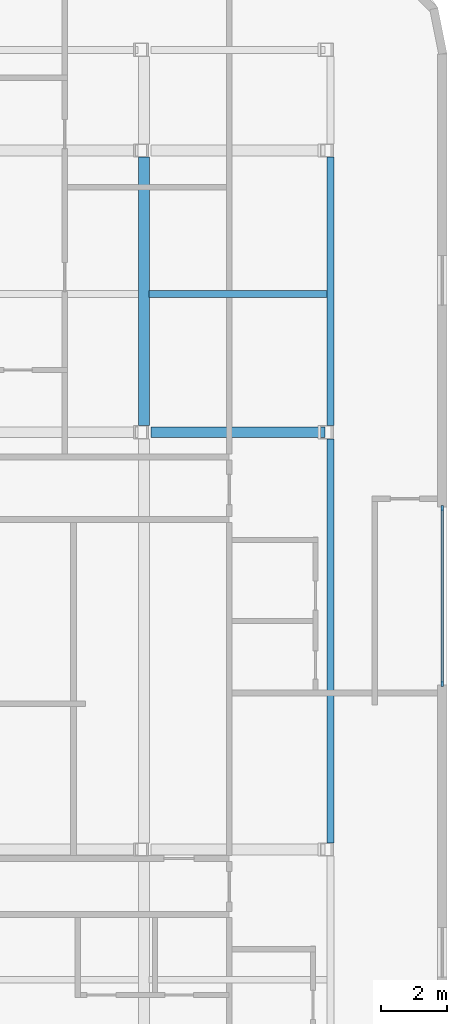
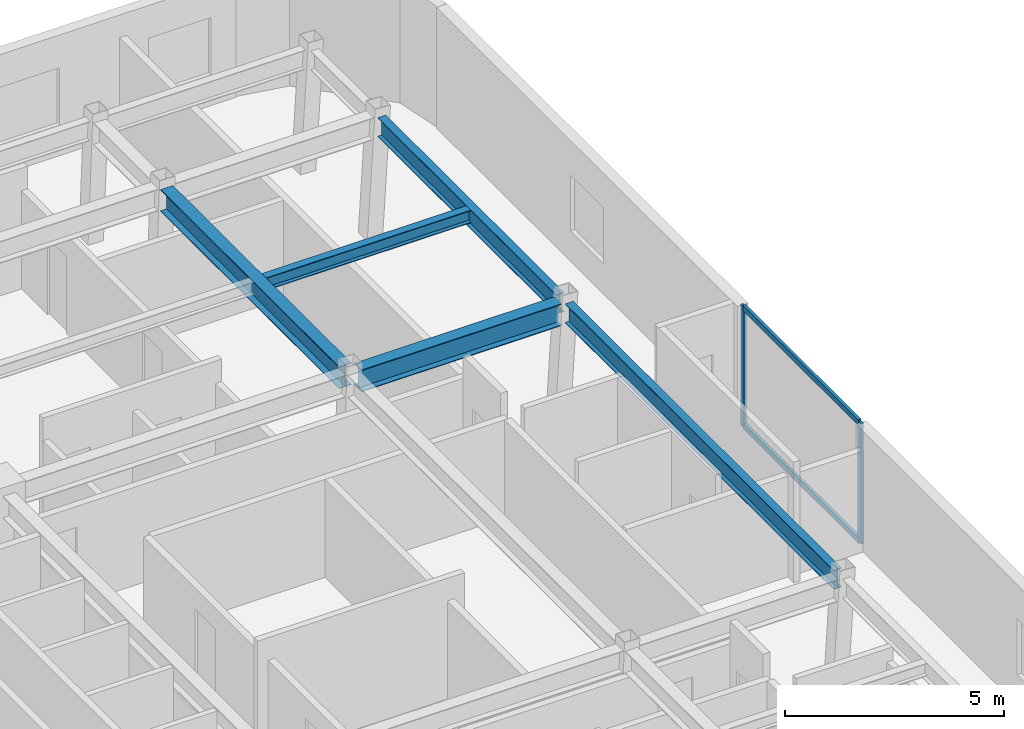
# One storey, part 2 of 9: 5 beams, 4 members, 1 element without a shape of its own.
"""IFC4 building model written with IfcOpenShell, lengths in metres."""

from ifc_helpers import new_model, si_unit, direction, frame, origin, origin_2d, place, context, subcontext, project, spatial, rectangle, i_section, extrude, material, layer, layer_set, material_profile, profile_set, type_object, element, aggregate, save


model = new_model("IFC4")

# Units and contexts
model_context = context("Model", 3, precision=1e-05, world=origin(), true_north=direction((0.0, 1.0)))
body_context = subcontext(model_context, "Body", "Model", "MODEL_VIEW")
ifc_project = project(units=[si_unit("LENGTHUNIT", "METRE"), si_unit("AREAUNIT", "SQUARE_METRE"), si_unit("VOLUMEUNIT", "CUBIC_METRE"), si_unit("PLANEANGLEUNIT", "RADIAN"), si_unit("MASSUNIT", "GRAM", prefix="KILO")], contexts=[model_context])

# Site, building, storey
site_placement = place(None, origin())
site = spatial("IfcSite", under=ifc_project, at=site_placement, CompositionType="ELEMENT")
building_placement = place(site_placement, origin())
building = spatial("IfcBuilding", under=site, at=building_placement, Name="Ochreholt Gables", CompositionType="ELEMENT")
storey_placement = place(building_placement, frame((0.0, 0.0, 124.800048828125)))
storey = spatial("IfcBuildingStorey", under=building, at=storey_placement, Name="L32", CompositionType="ELEMENT", Elevation=124.800048828125)

# Beams
ifc_material_1 = material(Name="Steel CSA G40.21 350W", Category="steel")
ifc_material_profile_1 = material_profile(ifc_material_1, i_section(OverallWidth=0.323974609375, OverallDepth=0.611083984375, WebThickness=0.0126953125, FlangeThickness=0.01904296875, at=origin_2d()), Name="W610X155")
ifc_profile_set_1 = profile_set([ifc_material_profile_1], Name="Steel CSA G40.21 350W")
beam_type_1 = type_object("IfcBeamType", Name="BM-G-W610A", PredefinedType="BEAM", material=ifc_profile_set_1)
beam_1_placement = place(storey_placement, frame((44.632568359375, 30.199951171875, 3.054443359375), z_axis=(1.0, 0.0, 0.0), x_axis=(0.0, 1.0, 0.0)))
element("IfcBeam", 1, at=beam_1_placement, inside=storey, type_object=beam_type_1, Name="L32 Beam TBG-L32-EMEE-Y4", PredefinedType="BEAM", context=body_context, shape_type="SweptSolid", body=[
    extrude(i_section(OverallWidth=0.323974609375, OverallDepth=0.611083984375, WebThickness=0.0126953125, FlangeThickness=0.01904296875, at=origin_2d()), origin(), (0.0, 0.0, 1.0), 5.268798828125),
])
beam_2_placement = place(storey_placement, frame((44.412841796875, 30.402587890625, 3.054443359375), z_axis=(0.0, 1.0, 0.0), x_axis=(-1.0, 0.0, 0.0)))
element("IfcBeam", 2, at=beam_2_placement, inside=storey, type_object=beam_type_1, Name="L32 Beam TBN-L32-EM-Y4Y5", PredefinedType="BEAM", context=body_context, shape_type="SweptSolid", body=[
    extrude(i_section(OverallWidth=0.323974609375, OverallDepth=0.611083984375, WebThickness=0.0126953125, FlangeThickness=0.01904296875, at=origin_2d()), origin(), (0.0, 0.0, 1.0), 8.144775390625),
])
ifc_material_profile_2 = material_profile(ifc_material_1, i_section(OverallWidth=0.205078125, OverallDepth=0.35400390625, WebThickness=0.009521484375, FlangeThickness=0.016845703125, at=origin_2d()), Name="W360X79")
ifc_profile_set_2 = profile_set([ifc_material_profile_2], Name="Steel CSA G40.21 350W")
beam_type_2 = type_object("IfcBeamType", Name="BM-J-W360A", PredefinedType="JOIST", material=ifc_profile_set_2)
beam_3_placement = place(storey_placement, frame((44.574462890625, 34.39990234375, 3.182861328125), z_axis=(1.0, 0.0, 0.0), x_axis=(0.0, 1.0, 0.0)))
element("IfcBeam", 3, at=beam_3_placement, inside=storey, type_object=beam_type_2, Name="L32 Beam TBJ-L32-J2-EMEE", PredefinedType="JOIST", context=body_context, shape_type="SweptSolid", body=[
    extrude(i_section(OverallWidth=0.205078125, OverallDepth=0.35400390625, WebThickness=0.009521484375, FlangeThickness=0.016845703125, at=origin_2d()), origin(), (0.0, 0.0, 1.0), 5.39697265625),
])
ifc_material_profile_3 = material_profile(ifc_material_1, i_section(OverallWidth=0.208984375, OverallDepth=0.532958984375, WebThickness=0.01025390625, FlangeThickness=0.015625, at=origin_2d()), Name="W530X92")
ifc_profile_set_3 = profile_set([ifc_material_profile_3], Name="Steel CSA G40.21 350W")
beam_type_3 = type_object("IfcBeamType", Name="BM-SP-W530B", PredefinedType="SPANDREL", material=ifc_profile_set_3)
beam_4_placement = place(storey_placement, frame((50.07568359375, 17.752685546875, 3.093505859375), z_axis=(0.0, 1.0, 0.0), x_axis=(-1.0, 0.0, 0.0)))
element("IfcBeam", 4, at=beam_4_placement, inside=storey, type_object=beam_type_3, Name="L32 Beam TBN-L32-EE-Y3Y4", PredefinedType="SPANDREL", context=body_context, shape_type="SweptSolid", body=[
    extrude(i_section(OverallWidth=0.208984375, OverallDepth=0.532958984375, WebThickness=0.01025390625, FlangeThickness=0.015625, at=origin_2d()), origin(), (0.0, 0.0, 1.0), 12.24462890625),
])
beam_5_placement = place(storey_placement, frame((50.07568359375, 30.402587890625, 3.093505859375), z_axis=(0.0, 1.0, 0.0), x_axis=(-1.0, 0.0, 0.0)))
element("IfcBeam", 5, at=beam_5_placement, inside=storey, type_object=beam_type_3, Name="L32 Beam TBN-L32-EE-Y4Y5", PredefinedType="SPANDREL", context=body_context, shape_type="SweptSolid", body=[
    extrude(i_section(OverallWidth=0.208984375, OverallDepth=0.532958984375, WebThickness=0.01025390625, FlangeThickness=0.015625, at=origin_2d()), origin(), (0.0, 0.0, 1.0), 8.144775390625),
])

# Curtain wall, members
ifc_material_2 = material(Name="Unitised Aluminium and Triple Glazing", Category="aluminium")
ifc_layer = layer(ifc_material_2, 0.18994140625, Name="Unitised Aluminium and Triple Glazing")
ifc_layer_set = layer_set([ifc_layer], Name="Unitised Aluminium and Triple Glazing")
curtain_wall_type = type_object("IfcCurtainWallType", Name="CW-SYS3", PredefinedType="NOTDEFINED", material=ifc_layer_set)
curtain_wall_placement = place(storey_placement, origin())
curtain_wall = element("IfcCurtainWall", 6, at=curtain_wall_placement, inside=storey, type_object=curtain_wall_type, Name="L32 East Unitised Curtain Wall", PredefinedType="NOTDEFINED")
ifc_material_3 = material(Name="Anodized Aluminium 6063-T6", Category="aluminium")
ifc_material_profile_4 = material_profile(ifc_material_3, rectangle(XDim=0.06494140625, YDim=0.1650390625, at=origin_2d()), Name="CWM65X165")
ifc_profile_set_4 = profile_set([ifc_material_profile_4], Name="Anodized Aluminium 6063-T6")
member_type_1 = type_object("IfcMemberType", Name="CW-MUL-B", PredefinedType="MULLION", material=ifc_profile_set_4)
member_1_placement = place(storey_placement, frame((53.4599609375, 22.57861328125, 0.0), z_axis=(0.0, 0.0, 1.0), x_axis=(-1.0, 0.0, 0.0)))
member_1 = element("IfcMember", 7, at=member_1_placement, type_object=member_type_1, Name="CW-3 mullion 1", PredefinedType="MULLION", context=body_context, shape_type="SweptSolid", body=[
    extrude(rectangle(XDim=0.06494140625, YDim=0.1650390625, at=origin_2d()), origin(), (0.0, 0.0, 1.0), 3.35986328125),
])
member_2_placement = place(storey_placement, frame((53.4599609375, 27.903564453125, 0.0), z_axis=(0.0, 0.0, 1.0), x_axis=(-1.0, 0.0, 0.0)))
member_2 = element("IfcMember", 8, at=member_2_placement, type_object=member_type_1, Name="CW-3 mullion 2", PredefinedType="MULLION", context=body_context, shape_type="SweptSolid", body=[
    extrude(rectangle(XDim=0.06494140625, YDim=0.1650390625, at=origin_2d()), origin(), (0.0, 0.0, 1.0), 3.35986328125),
])
ifc_material_profile_5 = material_profile(ifc_material_3, rectangle(XDim=0.074951171875, YDim=0.159912109375, at=origin_2d()), Name="CWT75X160")
ifc_profile_set_5 = profile_set([ifc_material_profile_5], Name="Anodized Aluminium 6063-T6")
member_type_2 = type_object("IfcMemberType", Name="CW-TRN-A", PredefinedType="USERDEFINED", material=ifc_profile_set_5)
member_3_placement = place(storey_placement, frame((53.4599609375, 22.611083984375, 0.037353515625), z_axis=(0.0, 1.0, 0.0), x_axis=(-1.0, 0.0, 0.0)))
member_3 = element("IfcMember", 9, at=member_3_placement, type_object=member_type_2, Name="CW-3 transom 1.1", ObjectType="TRANSOM", PredefinedType="USERDEFINED", context=body_context, shape_type="SweptSolid", body=[
    extrude(rectangle(XDim=0.074951171875, YDim=0.159912109375, at=origin_2d()), origin(), (0.0, 0.0, 1.0), 5.260009765625),
])
member_4_placement = place(storey_placement, frame((53.4599609375, 22.611083984375, 3.322509765625), z_axis=(0.0, 1.0, 0.0), x_axis=(-1.0, 0.0, 0.0)))
member_4 = element("IfcMember", 10, at=member_4_placement, type_object=member_type_2, Name="CW-3 transom 1.2", ObjectType="TRANSOM", PredefinedType="USERDEFINED", context=body_context, shape_type="SweptSolid", body=[
    extrude(rectangle(XDim=0.074951171875, YDim=0.159912109375, at=origin_2d()), origin(), (0.0, 0.0, 1.0), 5.260009765625),
])
aggregate(curtain_wall, [member_1, member_2, member_3, member_4])

save(model, "model.ifc")
